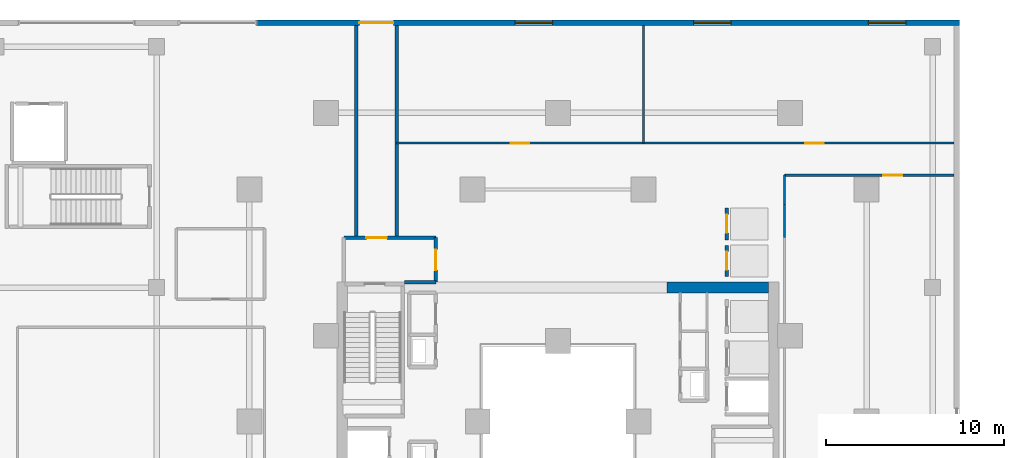
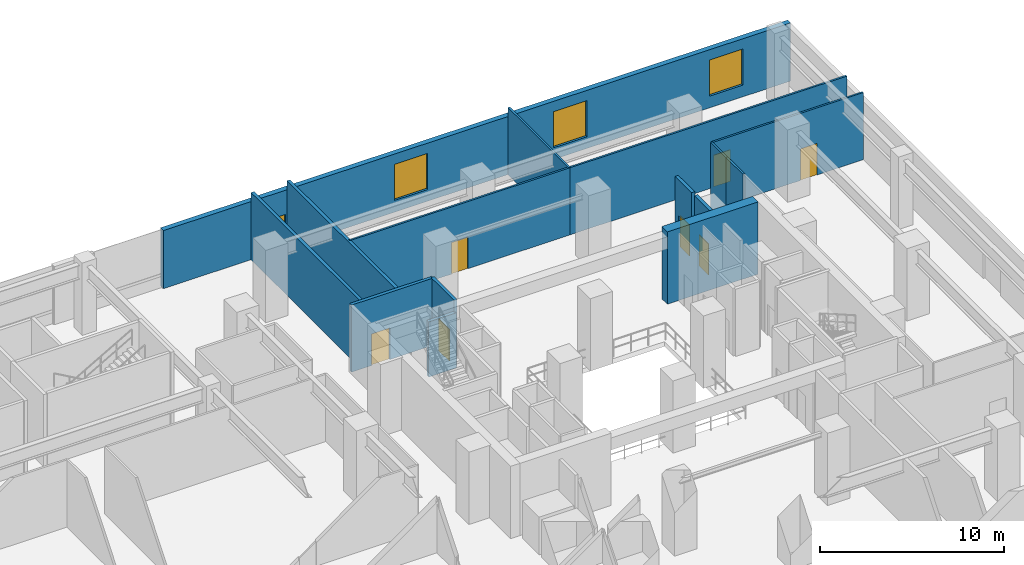
# One storey, part 18 of 24: 15 walls, 8 doors, 3 windows, 11 openings.
"""IFC4 building model written with IfcOpenShell, lengths in metres."""

import ifcopenshell
import ifcopenshell.guid

model = None  # the IFC model being written
_history = None  # IfcOwnerHistory: only IFC2X3 demands one
_inside = {}  # id of a spatial element -> (the spatial element, [elements in it])
_under = {}  # id of a project, library or spatial element -> (it, [spatial elements below it])
_declared = {}  # id of a project -> (the project, [libraries it declares])
_typed = {}  # id of a type object -> (the type object, [elements of that type])
_made_of = {}  # id of a material, layer set ... -> (it, [elements and type objects made of it])


def new_model(schema):
    """Start an empty IFC model of exactly this schema.

    Asked for "IFC4X3", IfcOpenShell would pick the latest addendum, in which some entities
    have other attributes; the version numbers below select the first issue.
    IFC2X3 requires an IfcOwnerHistory on every rooted entity: one is made here for all.
    """
    global model, _history
    if schema == "IFC4X3":
        model = ifcopenshell.file(schema_version=(4, 3, 0, 0))
    else:
        model = ifcopenshell.file(schema=schema)
    _inside.clear()
    _under.clear()
    _declared.clear()
    _typed.clear()
    _made_of.clear()
    _history = None
    if model.schema == "IFC2X3":
        org = make("IfcOrganization", Name="unknown")
        user = make(
            "IfcPersonAndOrganization",
            ThePerson=make("IfcPerson", FamilyName="unknown"),
            TheOrganization=org,
        )
        app = make(
            "IfcApplication",
            ApplicationDeveloper=org,
            Version="unknown",
            ApplicationFullName="unknown",
            ApplicationIdentifier="unknown",
        )
        _history = make(
            "IfcOwnerHistory",
            OwningUser=user,
            OwningApplication=app,
            ChangeAction="ADDED",
            CreationDate=0,
        )
    return model


def make(cls, **values):
    """One entity of the class cls with the attributes given. An attribute that is None is left unset."""
    return model.create_entity(
        cls, **{name: value for name, value in values.items() if value is not None}
    )


def rooted(cls, **values):
    """An entity with a GlobalId (a new one), such as an element, a storey or a relation."""
    return make(cls, GlobalId=ifcopenshell.guid.new(), OwnerHistory=_history, **values)


def si_unit(unit_type, name, prefix=None):
    """IfcSIUnit, for example si_unit("LENGTHUNIT", "METRE", prefix="MILLI")."""
    return make("IfcSIUnit", UnitType=unit_type, Prefix=prefix, Name=name)


def assignment(units):
    """IfcUnitAssignment: the units of a project."""
    return None if units is None else make("IfcUnitAssignment", Units=units)


def point(xyz):
    """IfcCartesianPoint."""
    return None if xyz is None else make("IfcCartesianPoint", Coordinates=xyz)


def direction(xyz):
    """IfcDirection."""
    return None if xyz is None else make("IfcDirection", DirectionRatios=xyz)


def frame(location, z_axis=None, x_axis=None):
    """IfcAxis2Placement3D, a coordinate frame: its origin and axes. An axis left out is left unset."""
    return make(
        "IfcAxis2Placement3D",
        Location=point(location),
        Axis=direction(z_axis),
        RefDirection=direction(x_axis),
    )


def frame_2d(location, x_axis=None):
    """IfcAxis2Placement2D, a coordinate frame in the plane: its origin and x axis."""
    return make(
        "IfcAxis2Placement2D", Location=point(location), RefDirection=direction(x_axis)
    )


def origin():
    """The frame at (0, 0, 0) with its axes left unset."""
    return frame((0.0, 0.0, 0.0))


def place(relative_to, where):
    """IfcLocalPlacement: puts the frame where relative to a parent placement (None: the world)."""
    return make(
        "IfcLocalPlacement", PlacementRelTo=relative_to, RelativePlacement=where
    )


def context(
    kind, dimensions, precision=None, world=None, true_north=None, identifier=None
):
    """IfcGeometricRepresentationContext, for example the 3D "Model" context."""
    return make(
        "IfcGeometricRepresentationContext",
        ContextIdentifier=identifier,
        ContextType=kind,
        CoordinateSpaceDimension=dimensions,
        Precision=precision,
        WorldCoordinateSystem=world,
        TrueNorth=true_north,
    )


def subcontext(parent, identifier, kind, view, scale=None):
    """IfcGeometricRepresentationSubContext, for example "Body" below "Model"."""
    return make(
        "IfcGeometricRepresentationSubContext",
        ContextIdentifier=identifier,
        ContextType=kind,
        ParentContext=parent,
        TargetScale=scale,
        TargetView=view,
    )


def project(units=None, contexts=None):
    """IfcProject with its units and contexts."""
    return rooted(
        "IfcProject",
        Name="project",
        RepresentationContexts=contexts,
        UnitsInContext=assignment(units),
    )


def spatial(cls, under=None, at=None, **own):
    """A site, building, storey or space (cls), placed at a placement, below another one or the project."""
    s = rooted(cls, ObjectPlacement=at, **own)
    if under is not None:
        _under.setdefault(under.id(), (under, []))[1].append(s)
    return s


def profile(cls, at=None, kind="AREA", **sizes):
    """A parametric profile (cls). Its sizes go by their IFC names, for example OverallWidth=200.0."""
    return make(cls, ProfileType=kind, Position=at, **sizes)


def rectangle(**sizes):
    """IfcRectangleProfileDef."""
    return profile("IfcRectangleProfileDef", **sizes)


def extrude(swept, where, along, depth):
    """IfcExtrudedAreaSolid: the profile swept, set in the frame where, extruded along a direction by depth."""
    return make(
        "IfcExtrudedAreaSolid",
        SweptArea=swept,
        Position=where,
        ExtrudedDirection=direction(along),
        Depth=depth,
    )


def shape(context_of_items, identifier, shape_type, items):
    """IfcShapeRepresentation: the items that make up one representation, for example the "Body"."""
    return make(
        "IfcShapeRepresentation",
        ContextOfItems=context_of_items,
        RepresentationIdentifier=identifier,
        RepresentationType=shape_type,
        Items=items,
    )


def material(Name=None, Category=None):
    """IfcMaterial."""
    return make("IfcMaterial", Name=Name, Category=Category)


def layer(
    of_material, thickness, ventilated=None, Name=None, Category=None, Priority=None
):
    """IfcMaterialLayer: one layer of a wall or slab, of a material (None: an air gap)."""
    return make(
        "IfcMaterialLayer",
        Material=of_material,
        LayerThickness=thickness,
        IsVentilated=ventilated,
        Name=Name,
        Category=Category,
        Priority=Priority,
    )


def layer_set(layers, Name=None):
    """IfcMaterialLayerSet."""
    return make("IfcMaterialLayerSet", MaterialLayers=layers, LayerSetName=Name)


def made_of(thing, what):
    """Note that an element or type object is made of a material, layer set ...; save() writes the relation."""
    if what is not None:
        _made_of.setdefault(what.id(), (what, []))[1].append(thing)
    return thing


def type_object(cls, material=None, **own):
    """A type object (cls), such as IfcWallType, which elements share."""
    return made_of(rooted(cls, **own), material)


def element(
    cls,
    number,
    at=None,
    inside=None,
    cuts=None,
    type_object=None,
    material=None,
    context=None,
    identifier="Body",
    shape_type=None,
    held_by="IfcProductDefinitionShape",
    body=None,
    shapes=None,
    **own,
):
    """One element of the class cls, such as IfcWall. Its Tag is "e" and its number.

    at: its placement. inside: the storey or other place that contains it. cuts: it is an
    opening in that element (IfcRelVoidsElement). A single representation is given by context,
    identifier, shape_type and body (its items); several are given by shapes. held_by: the class
    of the entity that holds the representations. save() writes the other relations.
    """
    e = rooted(cls, Tag="e%d" % number, ObjectPlacement=at, **own)
    if body is not None:
        shapes = [shape(context, identifier, shape_type, body)]
    if shapes is not None:
        e.Representation = make(held_by, Representations=shapes)
    if inside is not None:
        _inside.setdefault(inside.id(), (inside, []))[1].append(e)
    if cuts is not None:
        rooted(
            "IfcRelVoidsElement", RelatingBuildingElement=cuts, RelatedOpeningElement=e
        )
    if type_object is not None:
        _typed.setdefault(type_object.id(), (type_object, []))[1].append(e)
    return made_of(e, material)


def fill(opening, filler):
    """IfcRelFillsElement: the door or window that sits in an opening."""
    return rooted(
        "IfcRelFillsElement",
        RelatingOpeningElement=opening,
        RelatedBuildingElement=filler,
    )


def aggregate(whole, parts):
    """IfcRelAggregates: a whole, such as a stair, and the parts it consists of."""
    return rooted("IfcRelAggregates", RelatingObject=whole, RelatedObjects=parts)


def save(model, path):
    """Write the relations noted so far, then the file.

    IfcRelAggregates (storeys below a building ...), IfcRelContainedInSpatialStructure (elements
    in a storey), IfcRelDefinesByType, IfcRelAssociatesMaterial and IfcRelDeclares: one each for
    every whole, place, type object, material and project.
    """
    for whole, parts in _under.values():
        aggregate(whole, parts)
    for where, things in _inside.values():
        rooted(
            "IfcRelContainedInSpatialStructure",
            RelatedElements=things,
            RelatingStructure=where,
        )
    for kind, things in _typed.values():
        rooted("IfcRelDefinesByType", RelatedObjects=things, RelatingType=kind)
    for what, things in _made_of.values():
        rooted("IfcRelAssociatesMaterial", RelatedObjects=things, RelatingMaterial=what)
    for by, libraries in _declared.values():
        rooted("IfcRelDeclares", RelatingContext=by, RelatedDefinitions=libraries)
    model.write(path)


model = new_model("IFC4")

# Units and contexts
model_context = context("Model", 3, precision=1e-05, world=origin(), true_north=direction((0.0, 1.0)))
body_context = subcontext(model_context, "Body", "Model", "MODEL_VIEW")
ifc_project = project(units=[si_unit("LENGTHUNIT", "METRE"), si_unit("AREAUNIT", "SQUARE_METRE"), si_unit("VOLUMEUNIT", "CUBIC_METRE"), si_unit("PLANEANGLEUNIT", "RADIAN"), si_unit("MASSUNIT", "GRAM", prefix="KILO")], contexts=[model_context])

# Site, building, storey
site_placement = place(None, origin())
site = spatial("IfcSite", under=ifc_project, at=site_placement, CompositionType="ELEMENT")
building_placement = place(site_placement, origin())
building = spatial("IfcBuilding", under=site, at=building_placement, Name="Thornwick Lancets Civic Towers", CompositionType="ELEMENT")
storey_placement = place(building_placement, origin())
storey = spatial("IfcBuildingStorey", under=building, at=storey_placement, Name="L00", CompositionType="ELEMENT", Elevation=0.0)

# Wall, opening, door
ifc_material_1 = material(Name="Concrete blockwork C40/50", Category="masonry")
ifc_layer_1 = layer(ifc_material_1, 0.199951171875, Name="Concrete blockwork C40/50")
ifc_layer_set_1 = layer_set([ifc_layer_1], Name="Concrete blockwork C40/50")
wall_type_1 = type_object("IfcWallType", Name="WALL_COMP_200", PredefinedType="STANDARD", material=ifc_layer_set_1)
wall_1_placement = place(storey_placement, frame((97.949951171875, 36.8701171875, 0.0), z_axis=(0.0, 0.0, 1.0), x_axis=(0.0, -1.0, 0.0)))
wall_1 = element("IfcWall", 1, at=wall_1_placement, inside=storey, type_object=wall_type_1, Name="L00 Hoistway Front Wall PL-BL2", PredefinedType="STANDARD", context=body_context, shape_type="SweptSolid", body=[
    extrude(rectangle(XDim=1.740234375, YDim=0.199951171875, at=frame_2d((0.8701171875, 0.0))), origin(), (0.0, 0.0, 1.0), 4.4599609375),
])
opening_1_placement = place(wall_1_placement, frame((0.360107421875, 0.0, 0.0)))
opening_1 = element("IfcOpeningElement", 2, at=opening_1_placement, cuts=wall_1, Name="Opening LD-PL-BL2", PredefinedType="OPENING", context=body_context, shape_type="SweptSolid", body=[
    extrude(rectangle(XDim=1.02001953125, YDim=2.06005859375, at=frame_2d((0.510009765625, 1.030029296875))), frame((0.0, 0.10986328125, 0.0), z_axis=(0.0, -1.0, 0.0), x_axis=(1.0, 0.0, 0.0)), (0.0, 0.0, 1.0), 0.219970703125),
])
ifc_material_2 = material(Name="Brushed bronze stainless steel", Category="steel")
door_type_1 = type_object("IfcDoorType", Name="DOOR_LIFT_SLIDE", OperationType="SLIDING_TO_LEFT", PredefinedType="DOOR", material=ifc_material_2)
door_1_placement = place(opening_1_placement, origin())
door_1 = element("IfcDoor", 3, at=door_1_placement, inside=storey, type_object=door_type_1, Name="L00 Sliding Lift Landing Door LD-PL-BL2", OperationType="SLIDING_TO_LEFT", OverallHeight=2.06005859375, OverallWidth=1.02001953125, PredefinedType="DOOR", context=body_context, shape_type="SweptSolid", body=[
    extrude(rectangle(XDim=1.02001953125, YDim=2.06005859375, at=frame_2d((0.510009765625, 1.030029296875))), frame((0.0, 0.02490234375, 0.0), z_axis=(0.0, -1.0, 0.0), x_axis=(1.0, 0.0, 0.0)), (0.0, 0.0, 1.0), 0.050048828125),
])
fill(opening_1, door_1)

wall_2_placement = place(storey_placement, frame((97.949951171875, 38.969970703125, 0.0), z_axis=(0.0, 0.0, 1.0), x_axis=(0.0, -1.0, 0.0)))
wall_2 = element("IfcWall", 4, at=wall_2_placement, inside=storey, type_object=wall_type_1, Name="L00 Hoistway Front Wall PL-BL3", PredefinedType="STANDARD", context=body_context, shape_type="SweptSolid", body=[
    extrude(rectangle(XDim=1.7900390625, YDim=0.199951171875, at=frame_2d((0.89501953125, 0.0))), origin(), (0.0, 0.0, 1.0), 4.4599609375),
])
opening_2_placement = place(wall_2_placement, frame((0.385009765625, 0.0, 0.0)))
opening_2 = element("IfcOpeningElement", 5, at=opening_2_placement, cuts=wall_2, Name="Opening LD-PL-BL3", PredefinedType="OPENING", context=body_context, shape_type="SweptSolid", body=[
    extrude(rectangle(XDim=1.02001953125, YDim=2.06005859375, at=frame_2d((0.510009765625, 1.030029296875))), frame((0.0, 0.10986328125, 0.0), z_axis=(0.0, -1.0, 0.0), x_axis=(1.0, 0.0, 0.0)), (0.0, 0.0, 1.0), 0.219970703125),
])
door_2_placement = place(opening_2_placement, origin())
door_2 = element("IfcDoor", 6, at=door_2_placement, inside=storey, type_object=door_type_1, Name="L00 Sliding Lift Landing Door LD-PL-BL3", OperationType="SLIDING_TO_LEFT", OverallHeight=2.06005859375, OverallWidth=1.02001953125, PredefinedType="DOOR", context=body_context, shape_type="SweptSolid", body=[
    extrude(rectangle(XDim=1.02001953125, YDim=2.06005859375, at=frame_2d((0.510009765625, 1.030029296875))), frame((0.0, 0.02490234375, 0.0), z_axis=(0.0, -1.0, 0.0), x_axis=(1.0, 0.0, 0.0)), (0.0, 0.0, 1.0), 0.050048828125),
])
fill(opening_2, door_2)

# Wall
wall_3_placement = place(storey_placement, frame((79.89990234375, 34.800048828125, 0.0), z_axis=(0.0, 0.0, 1.0), x_axis=(1.0, 0.0, 0.0)))
element("IfcWall", 7, at=wall_3_placement, inside=storey, type_object=wall_type_1, Name="L00 Partition L00-B-FFLOB2 E1", PredefinedType="STANDARD", context=body_context, shape_type="SweptSolid", body=[
    extrude(rectangle(XDim=1.75, YDim=0.199951171875, at=frame_2d((0.875, 0.0))), origin(), (0.0, 0.0, 1.0), 3.6650390625),
])

# Wall, opening, door
wall_4_placement = place(storey_placement, frame((81.64990234375, 34.800048828125, 0.0), z_axis=(0.0, 0.0, 1.0), x_axis=(0.0, 1.0, 0.0)))
wall_4 = element("IfcWall", 8, at=wall_4_placement, inside=storey, type_object=wall_type_1, Name="L00 Partition L00-B-FFLOB2 E2", PredefinedType="STANDARD", context=body_context, shape_type="SweptSolid", body=[
    extrude(rectangle(XDim=2.5, YDim=0.199951171875, at=frame_2d((1.25, 0.0))), origin(), (0.0, 0.0, 1.0), 4.4599609375),
])
opening_3_placement = place(wall_4_placement, frame((0.675048828125, 0.0, 0.0)))
opening_3 = element("IfcOpeningElement", 9, at=opening_3_placement, cuts=wall_4, Name="Opening D-L00-0057", PredefinedType="OPENING", context=body_context, shape_type="SweptSolid", body=[
    extrude(rectangle(XDim=1.14990234375, YDim=2.10009765625, at=frame_2d((0.574951171875, 1.050048828125))), frame((0.0, 0.10986328125, 0.0), z_axis=(0.0, -1.0, 0.0), x_axis=(1.0, 0.0, 0.0)), (0.0, 0.0, 1.0), 0.219970703125),
])
ifc_material_3 = material(Name="Glazed fire-resisting steel", Category="steel")
door_type_2 = type_object("IfcDoorType", Name="DOOR_LOBBY_FD60", OperationType="NOTDEFINED", PredefinedType="DOOR", material=ifc_material_3)
door_3_placement = place(opening_3_placement, origin())
door_3 = element("IfcDoor", 10, at=door_3_placement, inside=storey, type_object=door_type_2, Name="L00 West Firefighting Lobby 2 Door", OperationType="SINGLE_SWING_RIGHT", OverallHeight=2.10009765625, OverallWidth=1.14990234375, PredefinedType="DOOR", context=body_context, shape_type="SweptSolid", body=[
    extrude(rectangle(XDim=1.14990234375, YDim=2.10009765625, at=frame_2d((0.574951171875, 1.050048828125))), frame((0.0, 0.02490234375, 0.0), z_axis=(0.0, -1.0, 0.0), x_axis=(1.0, 0.0, 0.0)), (0.0, 0.0, 1.0), 0.050048828125),
])
fill(opening_3, door_3)

wall_5_placement = place(storey_placement, frame((81.64990234375, 37.300048828125, 0.0), z_axis=(0.0, 0.0, 1.0), x_axis=(-1.0, 0.0, 0.0)))
wall_5 = element("IfcWall", 11, at=wall_5_placement, inside=storey, type_object=wall_type_1, Name="L00 Partition L00-B-FFLOB2 E3", PredefinedType="STANDARD", context=body_context, shape_type="SweptSolid", body=[
    extrude(rectangle(XDim=5.14990234375, YDim=0.199951171875, at=frame_2d((2.574951171875, 0.0))), origin(), (0.0, 0.0, 1.0), 4.4599609375),
])
opening_4_placement = place(wall_5_placement, frame((2.75, 0.0, 0.0)))
opening_4 = element("IfcOpeningElement", 12, at=opening_4_placement, cuts=wall_5, Name="Opening D-L00-0073", PredefinedType="OPENING", context=body_context, shape_type="SweptSolid", body=[
    extrude(rectangle(XDim=1.14990234375, YDim=2.10009765625, at=frame_2d((0.574951171875, 1.050048828125))), frame((0.0, 0.10986328125, 0.0), z_axis=(0.0, -1.0, 0.0), x_axis=(1.0, 0.0, 0.0)), (0.0, 0.0, 1.0), 0.219970703125),
])
door_4_placement = place(opening_4_placement, origin())
door_4 = element("IfcDoor", 13, at=door_4_placement, inside=storey, type_object=door_type_2, Name="L00 East Tower North Protected Exit Passage Door", OperationType="SINGLE_SWING_RIGHT", OverallHeight=2.10009765625, OverallWidth=1.14990234375, PredefinedType="DOOR", context=body_context, shape_type="SweptSolid", body=[
    extrude(rectangle(XDim=1.14990234375, YDim=2.10009765625, at=frame_2d((0.574951171875, 1.050048828125))), frame((0.0, 0.02490234375, 0.0), z_axis=(0.0, -1.0, 0.0), x_axis=(1.0, 0.0, 0.0)), (0.0, 0.0, 1.0), 0.050048828125),
])
fill(opening_4, door_4)

# Walls
for number, where, z_axis, x_axis, name in (
    (14, (77.199951171875, 37.300048828125, 0.0), (0.0, 0.0, 1.0), (0.0, 1.0, 0.0), "L00 Partition L00-EXIT-PASS-B2 E1"),
    (15, (79.449951171875, 49.179931640625, 0.0), (0.0, 0.0, 1.0), (0.0, -1.0, 0.0), "L00 Partition L00-EXIT-PASS-B2 E3"),
):
    element("IfcWall", number, at=place(storey_placement, frame(where, z_axis=z_axis, x_axis=x_axis)), inside=storey, type_object=wall_type_1, Name=name, PredefinedType="STANDARD", context=body_context, shape_type="SweptSolid", body=[
        extrude(rectangle(XDim=11.8798828125, YDim=0.199951171875, at=frame_2d((5.93994140625, 0.0))), origin(), (0.0, 0.0, 1.0), 4.4599609375),
    ])
ifc_material_4 = material(Name="Concrete C60/75", Category="concrete")
ifc_layer_2 = layer(ifc_material_4, 0.60009765625, Name="Concrete C60/75")
ifc_layer_set_2 = layer_set([ifc_layer_2], Name="Concrete C60/75")
wall_type_2 = type_object("IfcWallType", Name="WALL_CORE_600", PredefinedType="SHEAR", material=ifc_layer_set_2)
wall_6_placement = place(storey_placement, frame((94.60009765625, 34.5, 0.0), z_axis=(0.0, 0.0, 1.0), x_axis=(1.0, 0.0, 0.0)))
element("IfcWall", 16, at=wall_6_placement, inside=storey, type_object=wall_type_2, Name="L00 Split Core B1 Shear Wall N", PredefinedType="SHEAR", context=body_context, shape_type="SweptSolid", body=[
    extrude(rectangle(XDim=5.699951171875, YDim=0.60009765625, at=frame_2d((2.85009765625, 0.0))), origin(), (0.0, 0.0, 1.0), 4.800048828125),
])

# Wall, openings, door, windows
ifc_material_5 = material(Name="Insulated buff terracotta rainscreen on concrete C40/50", Category="masonry")
ifc_layer_3 = layer(ifc_material_5, 0.320068359375, Name="Insulated buff terracotta rainscreen on concrete C40/50")
ifc_layer_set_3 = layer_set([ifc_layer_3], Name="Insulated buff terracotta rainscreen on concrete C40/50")
wall_type_3 = type_object("IfcWallType", Name="WALL_EXT_TERRA_320", PredefinedType="STANDARD", material=ifc_layer_set_3)
wall_7_placement = place(storey_placement, frame((111.0, 49.340087890625, 0.0), z_axis=(0.0, 0.0, 1.0), x_axis=(-1.0, 0.0, 0.0)))
wall_7 = element("IfcWall", 17, at=wall_7_placement, inside=storey, type_object=wall_type_3, Name="L00 Podium North-East Facade Wall", PredefinedType="STANDARD", context=body_context, shape_type="SweptSolid", body=[
    extrude(rectangle(XDim=39.39990234375, YDim=0.320068359375, at=frame_2d((19.699951171875, 0.0))), origin(), (0.0, 0.0, 1.0), 3.860107421875),
])
opening_5_placement = place(wall_7_placement, frame((33.6298828125, 0.0, 0.0), z_axis=(0.0, 0.0, 1.0), x_axis=(-1.0, 0.0, 0.0)))
opening_5 = element("IfcOpeningElement", 18, at=opening_5_placement, cuts=wall_7, Name="Opening D-EX-07", PredefinedType="OPENING", context=body_context, shape_type="SweptSolid", body=[
    extrude(rectangle(XDim=1.89990234375, YDim=2.25, at=frame_2d((0.949951171875, 1.125))), frame((0.0, 0.169921875, 0.0), z_axis=(0.0, -1.0, 0.0), x_axis=(1.0, 0.0, 0.0)), (0.0, 0.0, 1.0), 0.340087890625),
])
opening_6_placement = place(wall_7_placement, frame((3.0, 0.0, 0.780029296875)))
opening_6 = element("IfcOpeningElement", 19, at=opening_6_placement, cuts=wall_7, Name="Opening WP-21", PredefinedType="OPENING", context=body_context, shape_type="SweptSolid", body=[
    extrude(rectangle(XDim=2.10009765625, YDim=2.39990234375, at=frame_2d((1.050048828125, 1.199951171875))), frame((0.0, 0.169921875, 0.0), z_axis=(0.0, -1.0, 0.0), x_axis=(1.0, 0.0, 0.0)), (0.0, 0.0, 1.0), 0.340087890625),
])
opening_7_placement = place(wall_7_placement, frame((12.800048828125, 0.0, 0.780029296875)))
opening_7 = element("IfcOpeningElement", 20, at=opening_7_placement, cuts=wall_7, Name="Opening WP-21", PredefinedType="OPENING", context=body_context, shape_type="SweptSolid", body=[
    extrude(rectangle(XDim=2.10009765625, YDim=2.39990234375, at=frame_2d((1.050048828125, 1.199951171875))), frame((0.0, 0.169921875, 0.0), z_axis=(0.0, -1.0, 0.0), x_axis=(1.0, 0.0, 0.0)), (0.0, 0.0, 1.0), 0.340087890625),
])
opening_8_placement = place(wall_7_placement, frame((22.800048828125, 0.0, 0.780029296875)))
opening_8 = element("IfcOpeningElement", 21, at=opening_8_placement, cuts=wall_7, Name="Opening WP-21", PredefinedType="OPENING", context=body_context, shape_type="SweptSolid", body=[
    extrude(rectangle(XDim=2.10009765625, YDim=2.39990234375, at=frame_2d((1.050048828125, 1.199951171875))), frame((0.0, 0.169921875, 0.0), z_axis=(0.0, -1.0, 0.0), x_axis=(1.0, 0.0, 0.0)), (0.0, 0.0, 1.0), 0.340087890625),
])
ifc_material_6 = material(Name="Glazed bronze civic entrance double doorset")
door_type_3 = type_object("IfcDoorType", Name="DOOR_EXIT_1900", OperationType="DOUBLE_DOOR_SINGLE_SWING", PredefinedType="DOOR", material=ifc_material_6)
door_5_placement = place(opening_5_placement, origin())
door_5 = element("IfcDoor", 22, at=door_5_placement, inside=storey, type_object=door_type_3, Name="L00 Final Pedestrian Exit Door D-EX-07", OperationType="DOUBLE_DOOR_SINGLE_SWING", OverallHeight=2.25, OverallWidth=1.89990234375, PredefinedType="DOOR", context=body_context, shape_type="SweptSolid", body=[
    extrude(rectangle(XDim=1.89990234375, YDim=2.25, at=frame_2d((0.949951171875, 1.125))), frame((0.0, 0.02490234375, 0.0), z_axis=(0.0, -1.0, 0.0), x_axis=(1.0, 0.0, 0.0)), (0.0, 0.0, 1.0), 0.050048828125),
])
fill(opening_5, door_5)
ifc_material_7 = material(Name="Grand civic pointed lancet glass window", Category="glass")
window_type = type_object("IfcWindowType", Name="WIN_PODIUM_2100", PartitioningType="SINGLE_PANEL", PredefinedType="WINDOW", material=ifc_material_7)
window_1_placement = place(opening_6_placement, origin())
window_1 = element("IfcWindow", 23, at=window_1_placement, inside=storey, type_object=window_type, Name="L00 Podium Lancet Window 1", OverallHeight=2.39990234375, OverallWidth=2.10009765625, PartitioningType="SINGLE_PANEL", PredefinedType="WINDOW", context=body_context, shape_type="SweptSolid", body=[
    extrude(rectangle(XDim=2.10009765625, YDim=2.39990234375, at=frame_2d((1.050048828125, 1.199951171875))), frame((0.0, 0.030029296875, 0.0), z_axis=(0.0, -1.0, 0.0), x_axis=(1.0, 0.0, 0.0)), (0.0, 0.0, 1.0), 0.06005859375),
])
fill(opening_6, window_1)
window_2_placement = place(opening_7_placement, origin())
window_2 = element("IfcWindow", 24, at=window_2_placement, inside=storey, type_object=window_type, Name="L00 Podium Lancet Window 2", OverallHeight=2.39990234375, OverallWidth=2.10009765625, PartitioningType="SINGLE_PANEL", PredefinedType="WINDOW", context=body_context, shape_type="SweptSolid", body=[
    extrude(rectangle(XDim=2.10009765625, YDim=2.39990234375, at=frame_2d((1.050048828125, 1.199951171875))), frame((0.0, 0.030029296875, 0.0), z_axis=(0.0, -1.0, 0.0), x_axis=(1.0, 0.0, 0.0)), (0.0, 0.0, 1.0), 0.06005859375),
])
fill(opening_7, window_2)
window_3_placement = place(opening_8_placement, origin())
window_3 = element("IfcWindow", 25, at=window_3_placement, inside=storey, type_object=window_type, Name="L00 Podium Lancet Window 3", OverallHeight=2.39990234375, OverallWidth=2.10009765625, PartitioningType="SINGLE_PANEL", PredefinedType="WINDOW", context=body_context, shape_type="SweptSolid", body=[
    extrude(rectangle(XDim=2.10009765625, YDim=2.39990234375, at=frame_2d((1.050048828125, 1.199951171875))), frame((0.0, 0.030029296875, 0.0), z_axis=(0.0, -1.0, 0.0), x_axis=(1.0, 0.0, 0.0)), (0.0, 0.0, 1.0), 0.06005859375),
])
fill(opening_8, window_3)

# Walls
ifc_material_8 = material(Name="Acoustic gypsum board partition")
ifc_layer_4 = layer(ifc_material_8, 0.1201171875, Name="Acoustic gypsum board partition")
ifc_layer_set_4 = layer_set([ifc_layer_4], Name="Acoustic gypsum board partition")
wall_type_4 = type_object("IfcWallType", Name="WALL_PART_120", PredefinedType="PARTITIONING", material=ifc_layer_set_4)
wall_8_placement = place(storey_placement, frame((101.199951171875, 37.300048828125, 0.0), z_axis=(0.0, 0.0, 1.0), x_axis=(0.0, 1.0, 0.0)))
element("IfcWall", 26, at=wall_8_placement, inside=storey, type_object=wall_type_4, Name="L00 Partition L00-EASTH E2", PredefinedType="PARTITIONING", context=body_context, shape_type="SweptSolid", body=[
    extrude(rectangle(XDim=1.849853515625, YDim=0.1201171875, at=frame_2d((0.9248046875, 0.0))), origin(), (0.0, 0.0, 1.0), 4.4599609375),
])
wall_9_placement = place(storey_placement, frame((101.199951171875, 39.14990234375, 0.0), z_axis=(0.0, 0.0, 1.0), x_axis=(0.0, 1.0, 0.0)))
element("IfcWall", 27, at=wall_9_placement, inside=storey, type_object=wall_type_4, Name="L00 Partition L00-EASTH E3", PredefinedType="PARTITIONING", context=body_context, shape_type="SweptSolid", body=[
    extrude(rectangle(XDim=1.650146484375, YDim=0.1201171875, at=frame_2d((0.8251953125, 0.0))), origin(), (0.0, 0.0, 1.0), 4.4599609375),
])

# Wall, opening, door
wall_10_placement = place(storey_placement, frame((101.199951171875, 40.800048828125, 0.0), z_axis=(0.0, 0.0, 1.0), x_axis=(1.0, 0.0, 0.0)))
wall_10 = element("IfcWall", 28, at=wall_10_placement, inside=storey, type_object=wall_type_4, Name="L00 Partition L00-EASTH E4", PredefinedType="PARTITIONING", context=body_context, shape_type="SweptSolid", body=[
    extrude(rectangle(XDim=9.5, YDim=0.1201171875, at=frame_2d((4.75, 0.0))), origin(), (0.0, 0.0, 1.0), 4.4599609375),
])
opening_9_placement = place(wall_10_placement, frame((5.544921875, 0.0, 0.0)))
opening_9 = element("IfcOpeningElement", 29, at=opening_9_placement, cuts=wall_10, Name="Opening D-L00-0083", PredefinedType="OPENING", context=body_context, shape_type="SweptSolid", body=[
    extrude(rectangle(XDim=1.050048828125, YDim=2.10009765625, at=frame_2d((0.52490234375, 1.050048828125))), frame((0.0, 0.070068359375, 0.0), z_axis=(0.0, -1.0, 0.0), x_axis=(1.0, 0.0, 0.0)), (0.0, 0.0, 1.0), 0.14013671875),
])
ifc_material_9 = material(Name="Glazed European oak executive doorset")
door_type_4 = type_object("IfcDoorType", Name="DOOR_OFFICE_1050", OperationType="NOTDEFINED", PredefinedType="DOOR", material=ifc_material_9)
door_6_placement = place(opening_9_placement, origin())
door_6 = element("IfcDoor", 30, at=door_6_placement, inside=storey, type_object=door_type_4, Name="East Civic Hospitality Lounge Door", OperationType="SINGLE_SWING_RIGHT", OverallHeight=2.10009765625, OverallWidth=1.050048828125, PredefinedType="DOOR", context=body_context, shape_type="SweptSolid", body=[
    extrude(rectangle(XDim=1.050048828125, YDim=2.10009765625, at=frame_2d((0.52490234375, 1.050048828125))), frame((0.0, 0.02490234375, 0.0), z_axis=(0.0, -1.0, 0.0), x_axis=(1.0, 0.0, 0.0)), (0.0, 0.0, 1.0), 0.050048828125),
])
fill(opening_9, door_6)

# Wall
wall_11_placement = place(storey_placement, frame((93.300048828125, 49.179931640625, 0.0), z_axis=(0.0, 0.0, 1.0), x_axis=(0.0, -1.0, 0.0)))
element("IfcWall", 31, at=wall_11_placement, inside=storey, type_object=wall_type_4, Name="L00 Partition L00-REG E3", PredefinedType="PARTITIONING", context=body_context, shape_type="SweptSolid", body=[
    extrude(rectangle(XDim=6.579833984375, YDim=0.1201171875, at=frame_2d((3.2900390625, 0.0))), origin(), (0.0, 0.0, 1.0), 4.4599609375),
])

# Wall, opening, door
wall_12_placement = place(storey_placement, frame((93.300048828125, 42.60009765625, 0.0), z_axis=(0.0, 0.0, 1.0), x_axis=(-1.0, 0.0, 0.0)))
wall_12 = element("IfcWall", 32, at=wall_12_placement, inside=storey, type_object=wall_type_4, Name="L00 Partition L00-REG E4", PredefinedType="PARTITIONING", context=body_context, shape_type="SweptSolid", body=[
    extrude(rectangle(XDim=13.85009765625, YDim=0.1201171875, at=frame_2d((6.925048828125, 0.0))), origin(), (0.0, 0.0, 1.0), 4.4599609375),
])
opening_10_placement = place(wall_12_placement, frame((6.39990234375, 0.0, 0.0)))
opening_10 = element("IfcOpeningElement", 33, at=opening_10_placement, cuts=wall_12, Name="Opening D-L00-0086", PredefinedType="OPENING", context=body_context, shape_type="SweptSolid", body=[
    extrude(rectangle(XDim=1.050048828125, YDim=2.10009765625, at=frame_2d((0.52490234375, 1.050048828125))), frame((0.0, 0.070068359375, 0.0), z_axis=(0.0, -1.0, 0.0), x_axis=(1.0, 0.0, 0.0)), (0.0, 0.0, 1.0), 0.14013671875),
])
door_7_placement = place(opening_10_placement, origin())
door_7 = element("IfcDoor", 34, at=door_7_placement, inside=storey, type_object=door_type_4, Name="Central Mail and Dispatch Registry Door", OperationType="SINGLE_SWING_LEFT", OverallHeight=2.10009765625, OverallWidth=1.050048828125, PredefinedType="DOOR", context=body_context, shape_type="SweptSolid", body=[
    extrude(rectangle(XDim=1.050048828125, YDim=2.10009765625, at=frame_2d((0.52490234375, 1.050048828125))), frame((0.0, 0.02490234375, 0.0), z_axis=(0.0, -1.0, 0.0), x_axis=(1.0, 0.0, 0.0)), (0.0, 0.0, 1.0), 0.050048828125),
])
fill(opening_10, door_7)

wall_13_placement = place(storey_placement, frame((110.699951171875, 42.60009765625, 0.0), z_axis=(0.0, 0.0, 1.0), x_axis=(-1.0, 0.0, 0.0)))
wall_13 = element("IfcWall", 35, at=wall_13_placement, inside=storey, type_object=wall_type_4, Name="L00 Partition L00-OFFNE E4", PredefinedType="PARTITIONING", context=body_context, shape_type="SweptSolid", body=[
    extrude(rectangle(XDim=17.39990234375, YDim=0.1201171875, at=frame_2d((8.699951171875, 0.0))), origin(), (0.0, 0.0, 1.0), 4.4599609375),
])
opening_11_placement = place(wall_13_placement, frame((7.294921875, 0.0, 0.0)))
opening_11 = element("IfcOpeningElement", 36, at=opening_11_placement, cuts=wall_13, Name="Opening D-L00-0087", PredefinedType="OPENING", context=body_context, shape_type="SweptSolid", body=[
    extrude(rectangle(XDim=1.050048828125, YDim=2.10009765625, at=frame_2d((0.52490234375, 1.050048828125))), frame((0.0, 0.070068359375, 0.0), z_axis=(0.0, -1.0, 0.0), x_axis=(1.0, 0.0, 0.0)), (0.0, 0.0, 1.0), 0.14013671875),
])
door_8_placement = place(opening_11_placement, origin())
door_8 = element("IfcDoor", 37, at=door_8_placement, inside=storey, type_object=door_type_4, Name="Civic Estates Operations Office Door", OperationType="SINGLE_SWING_RIGHT", OverallHeight=2.10009765625, OverallWidth=1.050048828125, PredefinedType="DOOR", context=body_context, shape_type="SweptSolid", body=[
    extrude(rectangle(XDim=1.050048828125, YDim=2.10009765625, at=frame_2d((0.52490234375, 1.050048828125))), frame((0.0, 0.02490234375, 0.0), z_axis=(0.0, -1.0, 0.0), x_axis=(1.0, 0.0, 0.0)), (0.0, 0.0, 1.0), 0.050048828125),
])
fill(opening_11, door_8)

save(model, "model.ifc")
